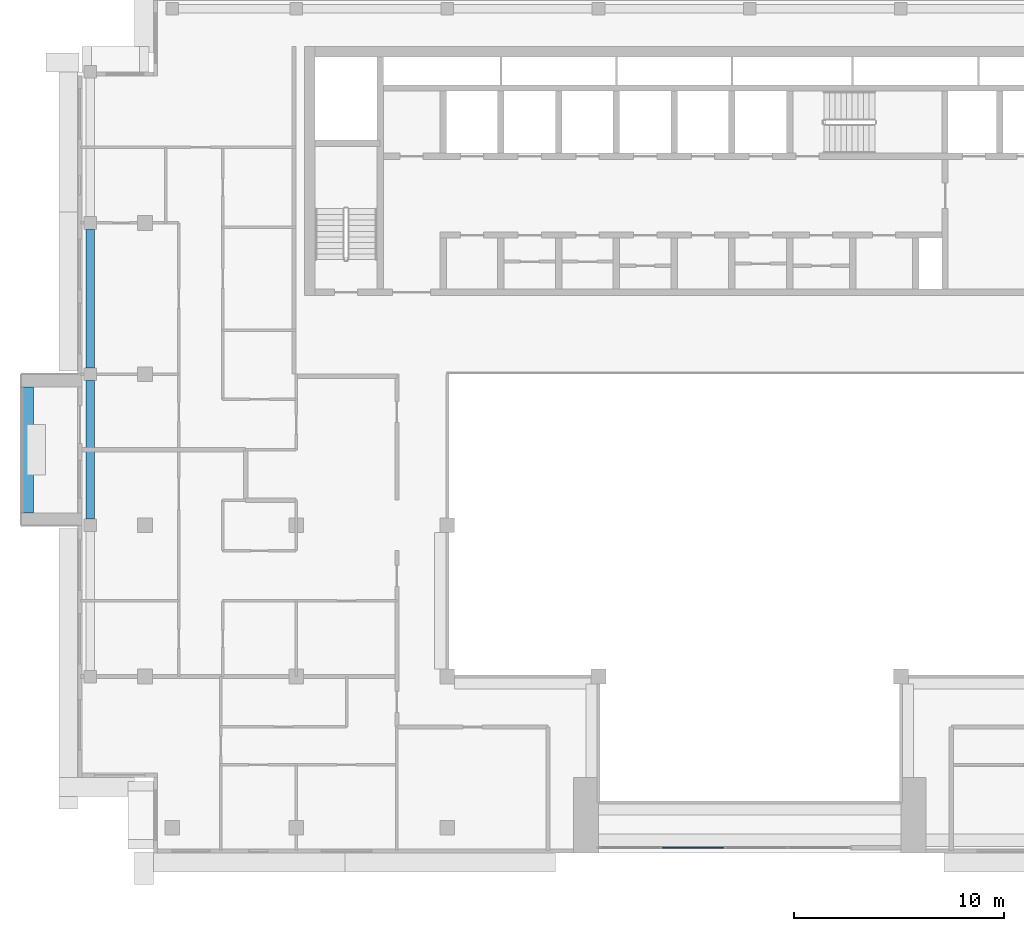
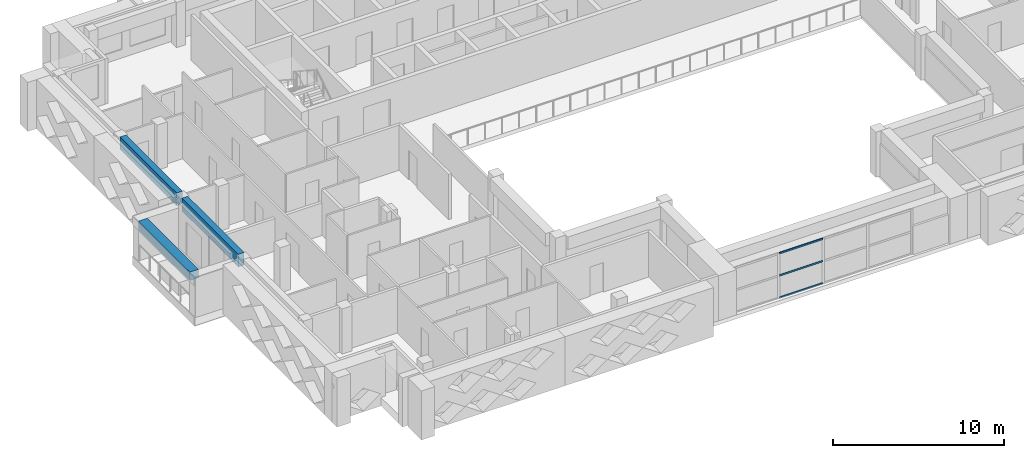
# One storey, part 3 of 18: 3 beams, 3 members, 1 element without a shape of its own.
"""IFC4 building model written with IfcOpenShell, lengths in metres."""

from ifc_helpers import new_model, si_unit, direction, frame, origin, origin_2d, place, context, subcontext, project, spatial, rectangle, extrude, source, transform, mapped, material, layer, layer_set, material_profile, profile_set, type_object, element, aggregate, save


model = new_model("IFC4")

# Units and contexts
model_context = context("Model", 3, precision=1e-05, world=origin(), true_north=direction((0.0, 1.0)))
body_context = subcontext(model_context, "Body", "Model", "MODEL_VIEW")
ifc_project = project(units=[si_unit("LENGTHUNIT", "METRE"), si_unit("AREAUNIT", "SQUARE_METRE"), si_unit("VOLUMEUNIT", "CUBIC_METRE"), si_unit("PLANEANGLEUNIT", "RADIAN"), si_unit("MASSUNIT", "GRAM", prefix="KILO")], contexts=[model_context])

# Site, building, storey
site_placement = place(None, origin())
site = spatial("IfcSite", under=ifc_project, at=site_placement, CompositionType="ELEMENT")
building_placement = place(site_placement, origin())
building = spatial("IfcBuilding", under=site, at=building_placement, Name="Saffron Iwan Residences", CompositionType="ELEMENT")
storey_placement = place(building_placement, frame((0.0, 0.0, 257.0)))
storey = spatial("IfcBuildingStorey", under=building, at=storey_placement, Name="L69", CompositionType="ELEMENT", Elevation=257.0)

# Beams
ifc_material_1 = material(Name="Concrete C40/50", Category="concrete")
ifc_material_profile_1 = material_profile(ifc_material_1, rectangle(XDim=0.39990234375, YDim=0.89990234375, at=origin_2d()), Name="RC 400x900")
ifc_profile_set_1 = profile_set([ifc_material_profile_1], Name="Concrete C40/50")
beam_type_1 = type_object("IfcBeamType", Name="SPANDREL BEAM RC 400x900 C40/50 TOP 3220", PredefinedType="SPANDREL", material=ifc_profile_set_1)
shared_shape_1 = source(origin(), body_context, "Body", "SweptSolid", [
    extrude(rectangle(XDim=0.39990234375, YDim=0.89990234375, at=origin_2d()), origin(), (0.0, 0.0, 1.0), 6.60009765625),
])
for number, where, z_axis, x_axis, name in (
    (1, (19.0, 55.5, 2.77001953125), (0.0, 1.0, 0.0), (-1.0, 0.0, 0.0), "Spandrel beam"),
    (2, (19.0, 62.699951171875, 2.77001953125), (0.0, 1.0, 0.0), (-1.0, 0.0, 0.0), "Spandrel beam"),
):
    element("IfcBeam", number, at=place(storey_placement, frame(where, z_axis=z_axis, x_axis=x_axis)), inside=storey, type_object=beam_type_1, Name=name, PredefinedType="SPANDREL", context=body_context, shape_type="MappedRepresentation", body=[
        mapped(shared_shape_1, transform((0.0, 0.0, 0.0))),
    ])

# Curtain wall, members
ifc_material_2 = material(Name="Clear glass, laminated double glazed", Category="glass")
ifc_layer = layer(ifc_material_2, 0.199951171875)
ifc_layer_set = layer_set([ifc_layer], Name="Clear glass, laminated double glazed")
curtain_wall_type = type_object("IfcCurtainWallType", Name="CW-B IWAN PORTAL", PredefinedType="NOTDEFINED", material=ifc_layer_set)
curtain_wall_placement = place(storey_placement, origin())
curtain_wall = element("IfcCurtainWall", 3, at=curtain_wall_placement, inside=storey, type_object=curtain_wall_type, Name="Iwan portal glazing L69.1", PredefinedType="NOTDEFINED")
ifc_material_3 = material(Name="Aluminium 6063-T6", Category="aluminium")
ifc_material_profile_2 = material_profile(ifc_material_3, rectangle(XDim=0.06005859375, YDim=0.1201171875, at=origin_2d()), Name="CW-B TRANSOM 60 x 120")
ifc_profile_set_2 = profile_set([ifc_material_profile_2], Name="Aluminium 6063-T6")
member_type = type_object("IfcMemberType", Name="CW-B TRANSOM 60 x 120", PredefinedType="USERDEFINED", material=ifc_profile_set_2)
shared_shape_2 = source(origin(), body_context, "Body", "SweptSolid", [
    extrude(rectangle(XDim=0.06005859375, YDim=0.1201171875, at=origin_2d()), origin(), (0.0, 0.0, 1.0), 2.93994140625),
])
member_1_placement = place(storey_placement, frame((46.22998046875, 39.85009765625, 0.030029296875), z_axis=(1.0, 0.0, 0.0), x_axis=(0.0, 1.0, 0.0)))
member_1 = element("IfcMember", 4, at=member_1_placement, type_object=member_type, Name="CW-B transom 2.1", ObjectType="TRANSOM", PredefinedType="USERDEFINED", context=body_context, shape_type="MappedRepresentation", body=[
    mapped(shared_shape_2, transform((0.0, 0.0, 0.0))),
])
member_2_placement = place(storey_placement, frame((46.22998046875, 39.85009765625, 1.610107421875), z_axis=(1.0, 0.0, 0.0), x_axis=(0.0, 1.0, 0.0)))
member_2 = element("IfcMember", 5, at=member_2_placement, type_object=member_type, Name="CW-B transom 2.2", ObjectType="TRANSOM", PredefinedType="USERDEFINED", context=body_context, shape_type="MappedRepresentation", body=[
    mapped(shared_shape_2, transform((0.0, 0.0, 0.0))),
])
member_3_placement = place(storey_placement, frame((46.22998046875, 39.85009765625, 3.18994140625), z_axis=(1.0, 0.0, 0.0), x_axis=(0.0, 1.0, 0.0)))
member_3 = element("IfcMember", 6, at=member_3_placement, type_object=member_type, Name="CW-B transom 2.3", ObjectType="TRANSOM", PredefinedType="USERDEFINED", context=body_context, shape_type="MappedRepresentation", body=[
    mapped(shared_shape_2, transform((0.0, 0.0, 0.0))),
])
aggregate(curtain_wall, [member_1, member_2, member_3])

# Beam
ifc_material_4 = material(Name="Concrete C50/60 white painted", Category="concrete")
ifc_material_profile_3 = material_profile(ifc_material_4, rectangle(XDim=0.60009765625, YDim=0.60009765625, at=origin_2d()), Name="BALCONY FASCIA BEAM 600 x 600")
ifc_profile_set_3 = profile_set([ifc_material_profile_3], Name="Concrete C50/60 white painted")
beam_type_2 = type_object("IfcBeamType", Name="BALCONY FASCIA BEAM 600 x 600", PredefinedType="BEAM", material=ifc_profile_set_3)
shared_shape_3 = source(origin(), body_context, "Body", "SweptSolid", [
    extrude(rectangle(XDim=0.60009765625, YDim=0.60009765625, at=origin_2d()), origin(), (0.0, 0.0, 1.0), 6.0),
])
beam_placement = place(storey_placement, frame((16.0, 61.800048828125, 2.550048828125), z_axis=(0.0, -1.0, 0.0), x_axis=(1.0, 0.0, 0.0)))
element("IfcBeam", 7, at=beam_placement, inside=storey, type_object=beam_type_2, Name="Balcony fascia beam L69 F8-0", PredefinedType="BEAM", context=body_context, shape_type="MappedRepresentation", body=[
    mapped(shared_shape_3, transform((0.0, 0.0, 0.0))),
])

save(model, "model.ifc")
